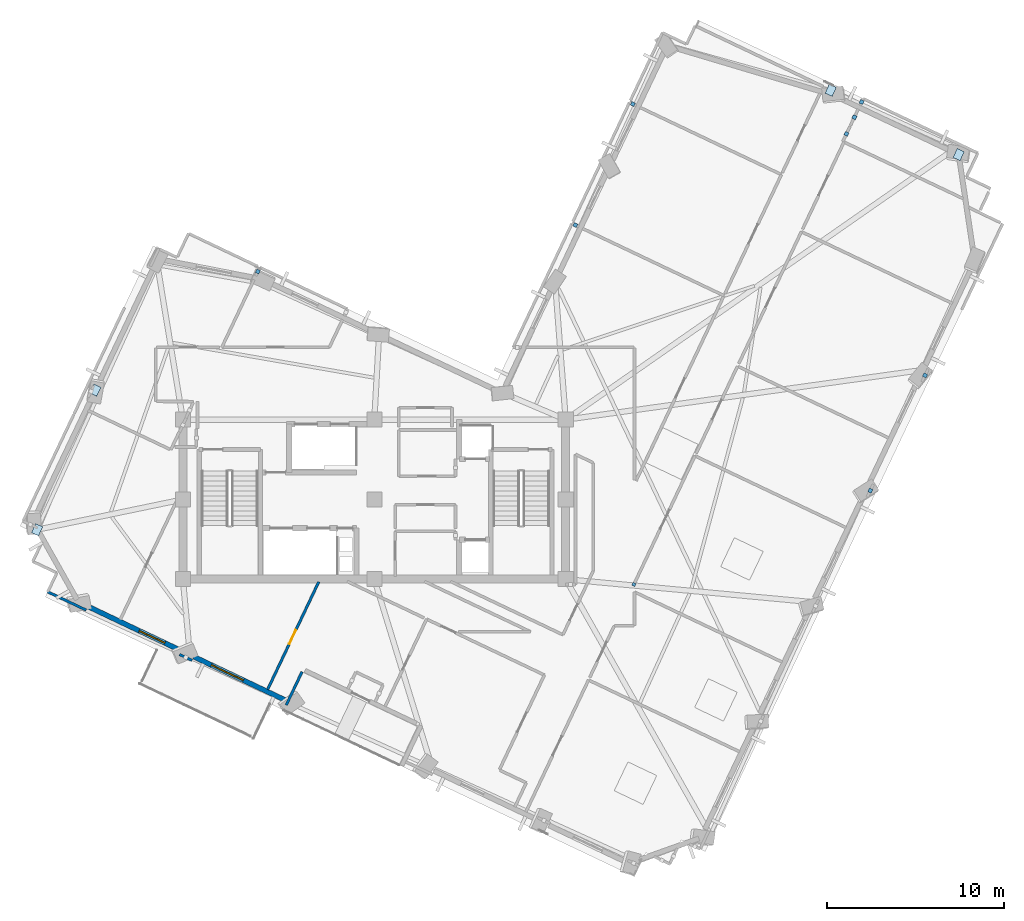
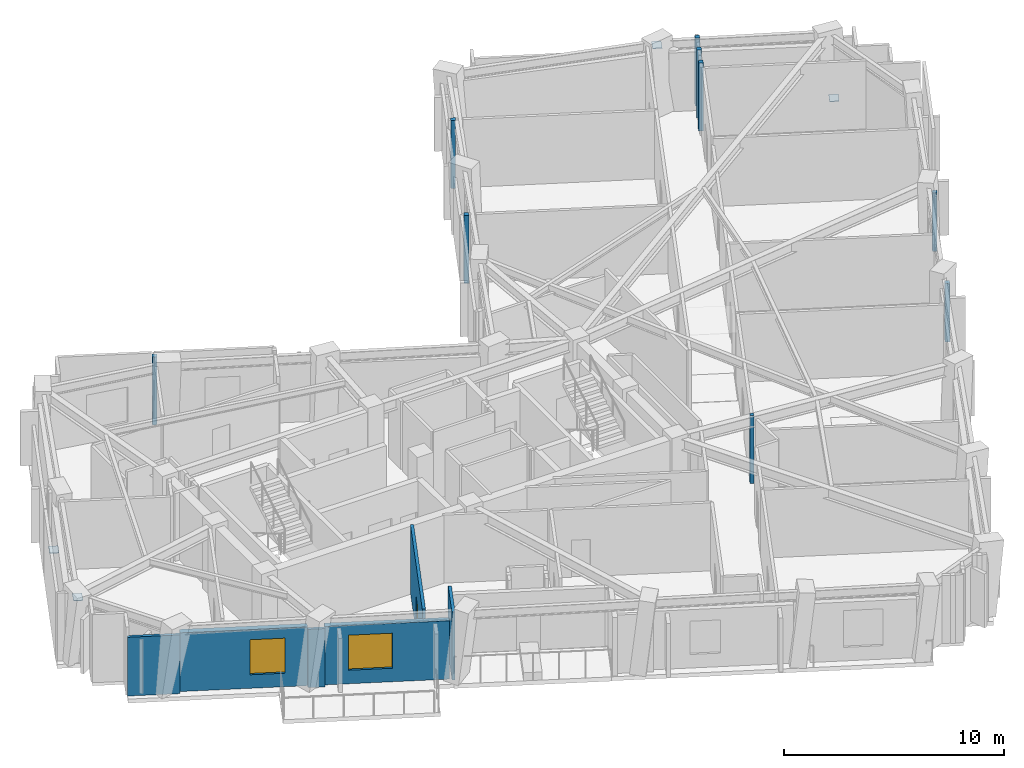
# One storey, part 4 of 13: 13 plates, 6 walls, 2 windows, 1 door, 3 openings.
"""IFC4 building model written with IfcOpenShell, lengths in metres."""

from ifc_helpers import new_model, si_unit, direction, frame, frame_2d, origin, origin_2d, place, context, subcontext, project, spatial, rectangle, extrude, material, layer, layer_set, type_object, element, fill, save


model = new_model("IFC4")

# Units and contexts
model_context = context("Model", 3, precision=1e-05, world=origin(), true_north=direction((0.0, 1.0)))
body_context = subcontext(model_context, "Body", "Model", "MODEL_VIEW")
ifc_project = project(units=[si_unit("LENGTHUNIT", "METRE"), si_unit("AREAUNIT", "SQUARE_METRE"), si_unit("VOLUMEUNIT", "CUBIC_METRE"), si_unit("PLANEANGLEUNIT", "RADIAN"), si_unit("MASSUNIT", "GRAM", prefix="KILO")], contexts=[model_context])

# Site, building, storey
site_placement = place(None, origin())
site = spatial("IfcSite", under=ifc_project, at=site_placement, CompositionType="ELEMENT")
building_placement = place(site_placement, origin())
building = spatial("IfcBuilding", under=site, at=building_placement, Name="Gaonmaruhae Medical Tower", CompositionType="ELEMENT")
storey_placement = place(building_placement, frame((0.0, 0.0, 300.60009765625)))
storey = spatial("IfcBuildingStorey", under=building, at=storey_placement, Name="L72", CompositionType="ELEMENT", Elevation=300.60009765625)

# Plates
ifc_material_1 = material(Name="Steel HSA650 (650 MPa)", Category="steel")
ifc_layer_1 = layer(ifc_material_1, 0.028076171875)
ifc_layer_set_1 = layer_set([ifc_layer_1], Name="Steel HSA650 (650 MPa)")
plate_type_1 = type_object("IfcPlateType", Name="GP-02 Tube Brace End Cap Gusset Plate", PredefinedType="USERDEFINED", material=ifc_layer_set_1)
for number, where, z_axis, x_axis, name in (
    (1, (57.76953125, 31.755126953125, 0.23583984375), (0.0, 0.0, 1.0), (0.428935133403, 0.903335292863, 0.0), "L72 Gusset Cap Plate PLT-L72-PBR-E01A"),
    (2, (50.550537109375, 35.38330078125, 3.515625), (0.0, 0.0, 1.0), (0.413898993841, 0.910322812467, 0.0), "L72 Gusset Cap Plate PLT-L72-PBR-E01B"),
    (3, (9.059814453125, 18.463623046875, 0.23583984375), (0.0, 0.0, 1.0), (0.428935133403, 0.903335292863, 0.0), "L72 Gusset Cap Plate PLT-L72-PBR-N02A"),
    (4, (5.7744140625, 10.593017578125, 3.515625), (0.0, 0.0, 1.0), (0.413898993841, 0.910322812467, 0.0), "L72 Gusset Cap Plate PLT-L72-PBR-N02B"),
):
    element("IfcPlate", number, at=place(storey_placement, frame(where, z_axis=z_axis, x_axis=x_axis)), inside=storey, type_object=plate_type_1, Name=name, ObjectType="GUSSET_PLATE", PredefinedType="USERDEFINED", context=body_context, shape_type="SweptSolid", body=[
        extrude(rectangle(XDim=0.56005859375, YDim=0.43994140625, at=origin_2d()), origin(), (0.0, 0.0, 1.0), 0.028076171875),
    ])
ifc_material_2 = material(Name="Anodised aluminium 6063-T6", Category="aluminium")
ifc_layer_2 = layer(ifc_material_2, 0.011962890625)
ifc_layer_set_2 = layer_set([ifc_layer_2], Name="Anodised aluminium 6063-T6")
plate_type_2 = type_object("IfcPlateType", Name="PP-01 Interior Partition Corner Stiffener Plate", PredefinedType="SHEET", material=ifc_layer_set_2)
plate_placement = place(storey_placement, frame((39.44580078125, 7.502685546875, 0.0), z_axis=(0.0, 0.0, 1.0), x_axis=(0.428919367163, 0.903342779056, 0.0)))
element("IfcPlate", 5, at=plate_placement, inside=storey, type_object=plate_type_2, Name="L72 Partition End Jamb Post Plate PLT-L72-ENDP-PW029-0", PredefinedType="SHEET", context=body_context, shape_type="SweptSolid", body=[
    extrude(rectangle(XDim=0.179931640625, YDim=0.179931640625, at=origin_2d()), origin(), (0.0, 0.0, 1.0), 3.780029296875),
])
for number, where, z_axis, x_axis, name in (
    (6, (52.784912109375, 12.79541015625, 0.0), (0.0, 0.0, 1.0), (-0.428462089374, -0.903559758936, 0.0), "L72 Partition Corner Stiffener Plate PLT-L72-JGP-PW032"),
    (7, (55.87353515625, 19.298583984375, 0.0), (0.0, 0.0, 1.0), (-0.428414778508, -0.90358219192, 0.0), "L72 Partition Corner Stiffener Plate PLT-L72-JGP-PW035"),
):
    element("IfcPlate", number, at=place(storey_placement, frame(where, z_axis=z_axis, x_axis=x_axis)), inside=storey, type_object=plate_type_2, Name=name, PredefinedType="SHEET", context=body_context, shape_type="SweptSolid", body=[
        extrude(rectangle(XDim=0.219970703125, YDim=0.219970703125, at=origin_2d()), origin(), (0.0, 0.0, 1.0), 3.264892578125),
    ])
for number, where, z_axis, x_axis, name in (
    (8, (36.1416015625, 27.780517578125, 0.0), (0.0, 0.0, 1.0), (0.902990630572, -0.429660239141, 0.0), "L72 Partition Corner Stiffener Plate PLT-L72-JGP-PW070"),
    (9, (39.384521484375, 34.609619140625, 0.0), (0.0, 0.0, 1.0), (0.902990630572, -0.429660239141, 0.0), "L72 Partition Corner Stiffener Plate PLT-L72-JGP-PW076"),
    (10, (18.2275390625, 25.156494140625, 0.0), (0.0, 0.0, 1.0), (0.428714394149, 0.90344007452, 0.0), "L72 Partition Corner Stiffener Plate PLT-L72-JGP-PW088"),
    (11, (51.43994140625, 32.925537109375, 0.0), (0.0, 0.0, 1.0), (0.429124318095, 0.903245437087, 0.0), "L72 Partition Corner Stiffener Plate PLT-L72-JGP-PW111"),
    (12, (51.885986328125, 33.864990234375, 0.0), (0.0, 0.0, 1.0), (0.42962871856, 0.903005627994, 0.0), "L72 Partition Corner Stiffener Plate PLT-L72-JGP-PW116"),
    (13, (52.29345703125, 34.723388671875, 0.0), (0.0, 0.0, 1.0), (0.429660239141, 0.902990630572, 0.0), "L72 Partition Corner Stiffener Plate PLT-L72-JGP-PW117"),
):
    element("IfcPlate", number, at=place(storey_placement, frame(where, z_axis=z_axis, x_axis=x_axis)), inside=storey, type_object=plate_type_2, Name=name, PredefinedType="SHEET", context=body_context, shape_type="SweptSolid", body=[
        extrude(rectangle(XDim=0.219970703125, YDim=0.219970703125, at=origin_2d()), origin(), (0.0, 0.0, 1.0), 3.780029296875),
    ])

# Wall, opening, window
ifc_material_3 = material(Name="Precast concrete C45/55", Category="concrete")
ifc_layer_3 = layer(ifc_material_3, 0.280029296875)
ifc_layer_set_3 = layer_set([ifc_layer_3], Name="Precast concrete C45/55")
wall_type_1 = type_object("IfcWallType", Name="EW-280 Upper Precast Masonry-Frame Facade Wall", PredefinedType="SOLIDWALL", material=ifc_layer_set_3)
wall_1_placement = place(storey_placement, frame((13.909423828125, 3.76220703125, 0.0), z_axis=(0.0, 0.0, 1.0), x_axis=(-0.903329022503, 0.428948338503, 0.0)))
wall_1 = element("IfcWall", 14, at=wall_1_placement, inside=storey, type_object=wall_type_1, Name="L72 Precast Masonry-Frame Wall W01-W02", PredefinedType="SOLIDWALL", context=body_context, shape_type="SweptSolid", body=[
    extrude(rectangle(XDim=5.83056640625, YDim=0.280029296875, at=frame_2d((2.915283203125, 0.0))), origin(), (0.0, 0.0, 1.0), 3.264892578125),
])
opening_1_placement = place(wall_1_placement, frame((1.027587890625, 0.0, 0.75)))
opening_1 = element("IfcOpeningElement", 15, at=opening_1_placement, cuts=wall_1, Name="Opening WN-01", PredefinedType="OPENING", context=body_context, shape_type="SweptSolid", body=[
    extrude(rectangle(XDim=1.60009765625, YDim=1.949951171875, at=frame_2d((0.800048828125, 0.97509765625))), frame((0.0, 0.14990234375, 0.0), z_axis=(0.0, -1.0, 0.0), x_axis=(1.0, 0.0, 0.0)), (0.0, 0.0, 1.0), 0.300048828125),
])
ifc_material_4 = material(Name="Anodised aluminium and Low-E double glazing", Category="aluminium")
window_type_1 = type_object("IfcWindowType", Name="WN-01 Ward Punched Acoustic Window 1600x1950", PartitioningType="SINGLE_PANEL", PredefinedType="WINDOW", material=ifc_material_4)
window_1_placement = place(opening_1_placement, origin())
window_1 = element("IfcWindow", 16, at=window_1_placement, inside=storey, type_object=window_type_1, Name="L72 Modular Facade Window W01", OverallHeight=1.949951171875, OverallWidth=1.60009765625, PartitioningType="SINGLE_PANEL", PredefinedType="WINDOW", context=body_context, shape_type="SweptSolid", body=[
    extrude(rectangle(XDim=1.60009765625, YDim=1.949951171875, at=frame_2d((0.800048828125, 0.97509765625))), frame((0.0, 0.030029296875, 0.0), z_axis=(0.0, -1.0, 0.0), x_axis=(1.0, 0.0, 0.0)), (0.0, 0.0, 1.0), 0.06005859375),
])
fill(opening_1, window_1)

wall_2_placement = place(storey_placement, frame((19.76611328125, 0.9814453125, 0.0), z_axis=(0.0, 0.0, 1.0), x_axis=(-0.903338909566, 0.428927516561, 0.0)))
wall_2 = element("IfcWall", 17, at=wall_2_placement, inside=storey, type_object=wall_type_1, Name="L72 Precast Masonry-Frame Wall W02-W03", PredefinedType="SOLIDWALL", context=body_context, shape_type="SweptSolid", body=[
    extrude(rectangle(XDim=5.700439453125, YDim=0.280029296875, at=frame_2d((2.85009765625, 0.0))), origin(), (0.0, 0.0, 1.0), 3.244873046875),
])
opening_2_placement = place(wall_2_placement, frame((2.60595703125, 0.0, 0.75)))
opening_2 = element("IfcOpeningElement", 18, at=opening_2_placement, cuts=wall_2, Name="Opening WN-02", PredefinedType="OPENING", context=body_context, shape_type="SweptSolid", body=[
    extrude(rectangle(XDim=2.0, YDim=1.949951171875, at=frame_2d((1.0, 0.97509765625))), frame((0.0, 0.14990234375, 0.0), z_axis=(0.0, -1.0, 0.0), x_axis=(1.0, 0.0, 0.0)), (0.0, 0.0, 1.0), 0.300048828125),
])
window_type_2 = type_object("IfcWindowType", Name="WN-02 Double-Bed Ward Punched Window 2000x1950", PartitioningType="SINGLE_PANEL", PredefinedType="WINDOW", material=ifc_material_4)
window_2_placement = place(opening_2_placement, origin())
window_2 = element("IfcWindow", 19, at=window_2_placement, inside=storey, type_object=window_type_2, Name="L72 Modular Facade Window W02", OverallHeight=1.949951171875, OverallWidth=2.0, PartitioningType="SINGLE_PANEL", PredefinedType="WINDOW", context=body_context, shape_type="SweptSolid", body=[
    extrude(rectangle(XDim=2.0, YDim=1.949951171875, at=frame_2d((1.0, 0.97509765625))), frame((0.0, 0.030029296875, 0.0), z_axis=(0.0, -1.0, 0.0), x_axis=(1.0, 0.0, 0.0)), (0.0, 0.0, 1.0), 0.06005859375),
])
fill(opening_2, window_2)

# Wall
ifc_material_5 = material(Name="Gypsum board partition", Category="gypsum")
ifc_layer_4 = layer(ifc_material_5, 0.14990234375)
ifc_layer_set_4 = layer_set([ifc_layer_4], Name="Gypsum board partition")
wall_type_2 = type_object("IfcWallType", Name="PW-150 Rated Clinical Corridor Partition", PredefinedType="PARTITIONING", material=ifc_layer_set_4)
wall_3_placement = place(storey_placement, frame((20.721923828125, 2.574951171875, 0.0), z_axis=(0.0, 0.0, 1.0), x_axis=(-0.428807781421, -0.90339575303, 0.0)))
element("IfcWall", 20, at=wall_3_placement, inside=storey, type_object=wall_type_2, Name="L72 Interior Partition L72-WOF08-50", PredefinedType="PARTITIONING", context=body_context, shape_type="SweptSolid", body=[
    extrude(rectangle(XDim=2.079833984375, YDim=0.14990234375, at=frame_2d((1.0400390625, 0.0))), origin(), (0.0, 0.0, 1.0), 3.77978515625),
])

# Wall, opening, door
wall_4_placement = place(storey_placement, frame((18.781005859375, 1.575927734375, 0.0), z_axis=(0.0, 0.0, 1.0), x_axis=(0.428982814931, 0.903312650467, 0.0)))
wall_4 = element("IfcWall", 21, at=wall_4_placement, inside=storey, type_object=wall_type_2, Name="L72 Interior Partition L72-WOF08-51", PredefinedType="PARTITIONING", context=body_context, shape_type="SweptSolid", body=[
    extrude(rectangle(XDim=6.729736328125, YDim=0.14990234375, at=frame_2d((3.36474609375, 0.0))), origin(), (0.0, 0.0, 1.0), 3.77978515625),
])
opening_3_placement = place(wall_4_placement, frame((2.84912109375, 0.0, 0.0)))
opening_3 = element("IfcOpeningElement", 22, at=opening_3_placement, cuts=wall_4, Name="Opening AD-01", PredefinedType="OPENING", context=body_context, shape_type="SweptSolid", body=[
    extrude(rectangle(XDim=0.860107421875, YDim=2.06005859375, at=frame_2d((0.43017578125, 1.030029296875))), frame((0.0, 0.0849609375, 0.0), z_axis=(0.0, -1.0, 0.0), x_axis=(1.0, 0.0, 0.0)), (0.0, 0.0, 1.0), 0.169921875),
])
ifc_material_6 = material(Name="Powder-coated steel access door", Category="steel")
door_type = type_object("IfcDoorType", Name="AD-01 Riser & Closet Access Fire Door 860x2060", OperationType="NOTDEFINED", PredefinedType="DOOR", material=ifc_material_6)
door_placement = place(opening_3_placement, origin())
door = element("IfcDoor", 23, at=door_placement, inside=storey, type_object=door_type, Name="L72 Ward Physician Reporting Office Sliding Door", OperationType="SLIDING_TO_LEFT", OverallHeight=2.06005859375, OverallWidth=0.860107421875, PredefinedType="DOOR", context=body_context, shape_type="SweptSolid", body=[
    extrude(rectangle(XDim=0.860107421875, YDim=2.06005859375, at=frame_2d((0.43017578125, 1.030029296875))), frame((0.0, 0.02490234375, 0.0), z_axis=(0.0, -1.0, 0.0), x_axis=(1.0, 0.0, 0.0)), (0.0, 0.0, 1.0), 0.050048828125),
])
fill(opening_3, door)

# Walls
wall_5_placement = place(storey_placement, frame((14.51806640625, 3.218994140625, 0.0), z_axis=(0.0, 0.0, 1.0), x_axis=(-0.903712421024, 0.428140000568, 0.0)))
element("IfcWall", 24, at=wall_5_placement, inside=storey, type_object=wall_type_2, Name="L72 Interior Partition L72-WOF09-53", PredefinedType="PARTITIONING", context=body_context, shape_type="SweptSolid", body=[
    extrude(rectangle(XDim=0.782470703125, YDim=0.14990234375, at=frame_2d((0.39111328125, 0.0))), origin(), (0.0, 0.0, 1.0), 3.244873046875),
])
wall_6_placement = place(storey_placement, frame((8.5439453125, 6.055908203125, 0.0), z_axis=(0.0, 0.0, 1.0), x_axis=(-0.903371851352, 0.428858132936, 0.0)))
element("IfcWall", 25, at=wall_6_placement, inside=storey, type_object=wall_type_2, Name="L72 Interior Partition L72-WOF10-58", PredefinedType="PARTITIONING", context=body_context, shape_type="SweptSolid", body=[
    extrude(rectangle(XDim=2.40625, YDim=0.14990234375, at=frame_2d((1.203125, 0.0))), origin(), (0.0, 0.0, 1.0), 3.264892578125),
])

save(model, "model.ifc")
